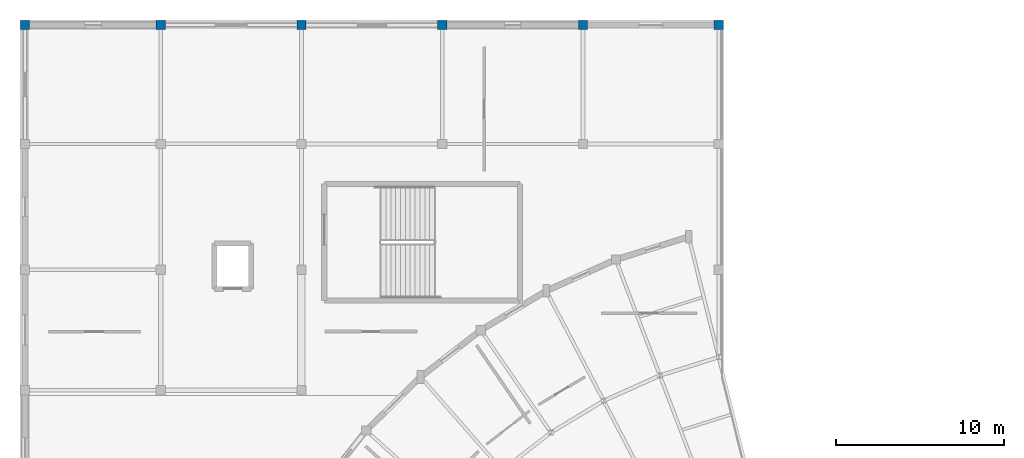
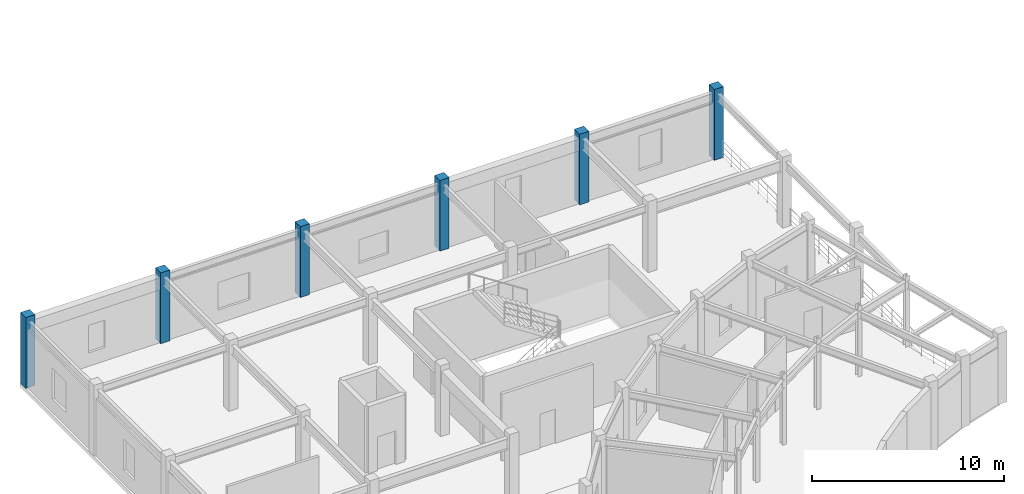
# One storey, part 11 of 60: 6 columns.
"""IFC4 building model written with IfcOpenShell, lengths in metres."""

from ifc_helpers import new_model, si_unit, direction, frame, origin, origin_2d, place, context, subcontext, project, spatial, rectangle, extrude, material, material_profile, profile_set, type_object, element, save


model = new_model("IFC4")

# Units and contexts
model_context = context("Model", 3, precision=1e-05, world=origin(), true_north=direction((0.0, 1.0)))
body_context = subcontext(model_context, "Body", "Model", "MODEL_VIEW")
ifc_project = project(units=[si_unit("LENGTHUNIT", "METRE"), si_unit("AREAUNIT", "SQUARE_METRE"), si_unit("VOLUMEUNIT", "CUBIC_METRE"), si_unit("PLANEANGLEUNIT", "RADIAN"), si_unit("MASSUNIT", "GRAM", prefix="KILO")], contexts=[model_context])

# Site, building, storey
site_placement = place(None, origin())
site = spatial("IfcSite", under=ifc_project, at=site_placement, CompositionType="ELEMENT")
building_placement = place(site_placement, origin())
building = spatial("IfcBuilding", under=site, at=building_placement, Name="Cinderbank Siding Concert Hall", CompositionType="ELEMENT")
storey_placement = place(building_placement, frame((0.0, 0.0, 14.699951171875)))
storey = spatial("IfcBuildingStorey", under=building, at=storey_placement, Name="L04", CompositionType="ELEMENT", Elevation=14.699951171875)

# Columns
ifc_material = material(Name="Reinforced concrete AS 3600 N50 (50 MPa)", Category="concrete")
ifc_material_profile = material_profile(ifc_material, rectangle(XDim=0.550048828125, YDim=0.550048828125, at=origin_2d()), Name="RC-COL-550x550", Category="LoadBearing")
ifc_profile_set = profile_set([ifc_material_profile], Name="Reinforced concrete AS 3600 N50 (50 MPa)")
column_type = type_object("IfcColumnType", Name="C-RC550 RC-COL-550x550", PredefinedType="COLUMN", material=ifc_profile_set)
for number, where, z_axis, x_axis, name in (
    (1, (7.10009765625, 117.89990234375, 0.0), (0.0, 0.0, 1.0), (1.0, 0.0, 0.0), "L04 Column COL-NW-1-4"),
    (2, (15.199951171875, 117.89990234375, 0.0), (0.0, 0.0, 1.0), (1.0, 0.0, 0.0), "L04 Column COL-NW-2-4"),
    (3, (23.60009765625, 117.89990234375, 0.0), (0.0, 0.0, 1.0), (1.0, 0.0, 0.0), "L04 Column COL-NW-3-4"),
    (4, (32.0, 117.89990234375, 0.0), (0.0, 0.0, 1.0), (1.0, 0.0, 0.0), "L04 Column COL-NW-4-4"),
    (5, (40.39990234375, 117.89990234375, 0.0), (0.0, 0.0, 1.0), (1.0, 0.0, 0.0), "L04 Column COL-NW-5-4"),
    (6, (48.5, 117.89990234375, 0.0), (0.0, 0.0, 1.0), (1.0, 0.0, 0.0), "L04 Column COL-NW-6-4"),
):
    element("IfcColumn", number, at=place(storey_placement, frame(where, z_axis=z_axis, x_axis=x_axis)), inside=storey, type_object=column_type, Name=name, PredefinedType="COLUMN", context=body_context, shape_type="SweptSolid", body=[
        extrude(rectangle(XDim=0.550048828125, YDim=0.550048828125, at=origin_2d()), origin(), (0.0, 0.0, 1.0), 4.5),
    ])

save(model, "model.ifc")
